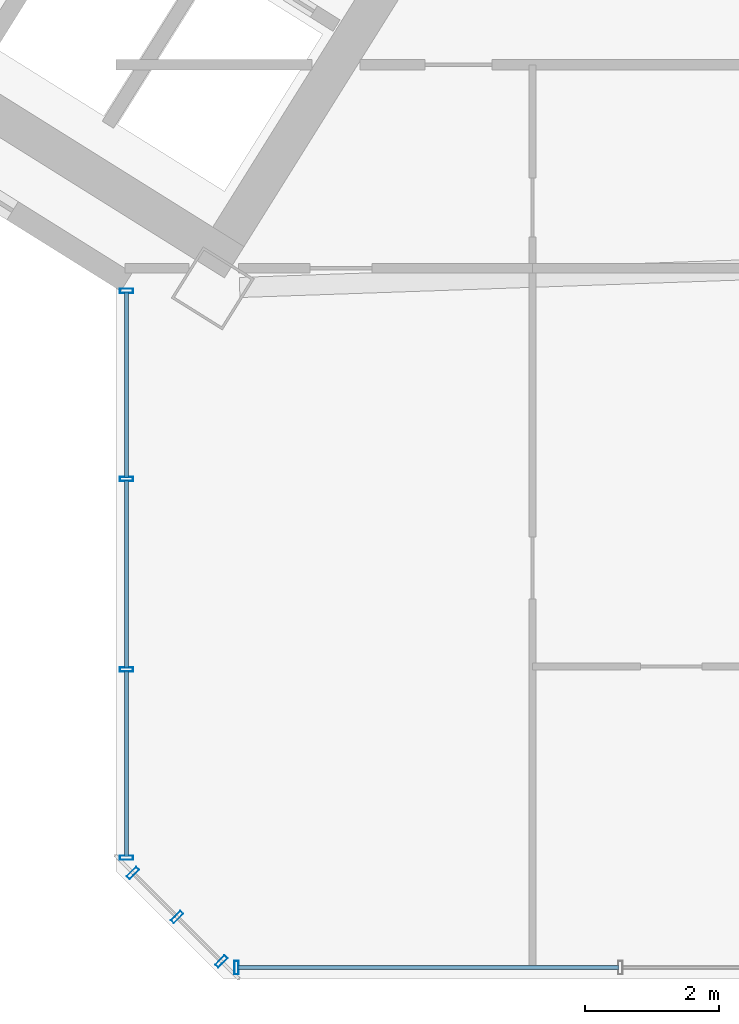
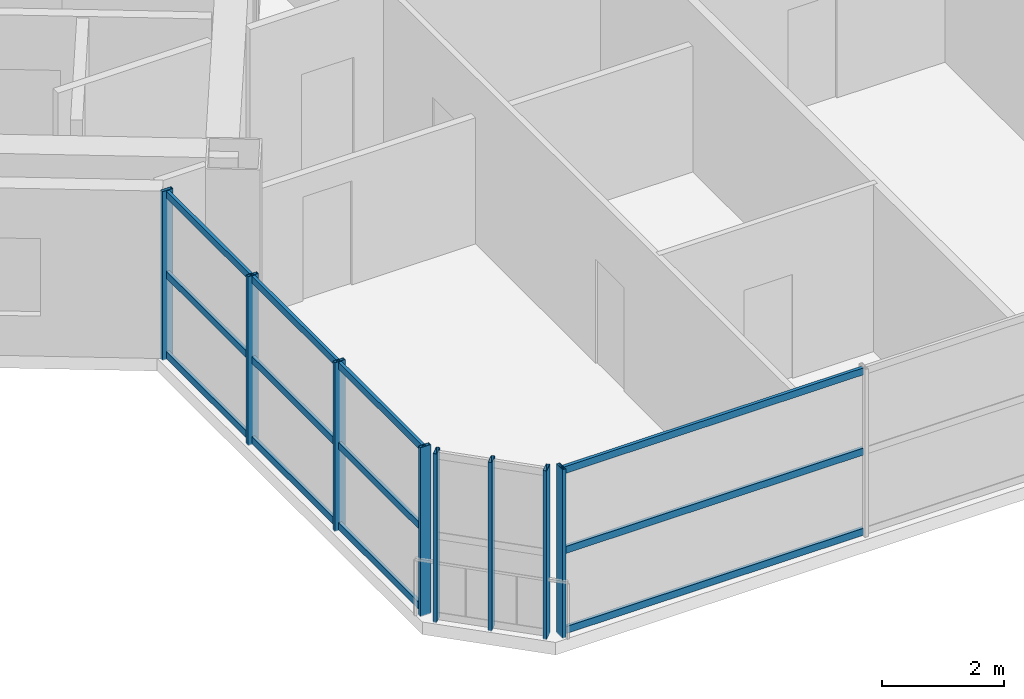
# One storey, part 4 of 20: 20 members, 3 elements without a shape of their own.
"""IFC4 building model written with IfcOpenShell, lengths in metres."""

from ifc_helpers import new_model, si_unit, direction, frame, origin, origin_2d, place, context, subcontext, project, spatial, hollow_rectangle, extrude, source, transform, mapped, material, material_profile, profile_set, type_object, element, aggregate, save


model = new_model("IFC4")

# Units and contexts
model_context = context("Model", 3, precision=1e-05, world=origin(), true_north=direction((0.0, 1.0)))
body_context = subcontext(model_context, "Body", "Model", "MODEL_VIEW")
ifc_project = project(units=[si_unit("LENGTHUNIT", "METRE"), si_unit("AREAUNIT", "SQUARE_METRE"), si_unit("VOLUMEUNIT", "CUBIC_METRE"), si_unit("PLANEANGLEUNIT", "RADIAN"), si_unit("MASSUNIT", "GRAM", prefix="KILO")], contexts=[model_context])

# Site, building, storey
site_placement = place(None, origin())
site = spatial("IfcSite", under=ifc_project, at=site_placement, CompositionType="ELEMENT")
building_placement = place(site_placement, origin())
building = spatial("IfcBuilding", under=site, at=building_placement, Name="Tlacorven Tower", CompositionType="ELEMENT")
storey_placement = place(building_placement, frame((0.0, 0.0, 108.89990234375)))
storey = spatial("IfcBuildingStorey", under=building, at=storey_placement, Name="L27", CompositionType="ELEMENT", Elevation=108.89990234375)

# Curtain wall, members
ifc_material_1 = material(Name="Dark solar low-E double glazing in aluminium frame", Category="aluminium")
curtain_wall_type = type_object("IfcCurtainWallType", Name="CW-TWR-MID", PredefinedType="USERDEFINED", material=ifc_material_1)
curtain_wall_1_placement = place(storey_placement, origin())
curtain_wall_1 = element("IfcCurtainWall", 1, at=curtain_wall_1_placement, inside=storey, type_object=curtain_wall_type, Name="L27 CW-TWR-MID Curtain Wall 136", ObjectType="UNITISED CURTAIN WALL", PredefinedType="USERDEFINED")
ifc_material_2 = material(Name="Aluminium 6063-T6 anodised", Category="aluminium")
ifc_material_profile_1 = material_profile(ifc_material_2, hollow_rectangle(XDim=0.06005859375, YDim=0.139892578125, WallThickness=0.00390625, at=origin_2d()), Name="ALU TRANSOM 60X140")
ifc_profile_set_1 = profile_set([ifc_material_profile_1], Name="Aluminium 6063-T6 anodised")
member_type_1 = type_object("IfcMemberType", Name="CWT-02", PredefinedType="USERDEFINED", material=ifc_profile_set_1)
shared_shape_1 = source(origin(), body_context, "Body", "SweptSolid", [
    extrude(hollow_rectangle(XDim=0.06005859375, YDim=0.139892578125, WallThickness=0.00390625, at=origin_2d()), origin(), (0.0, 0.0, 1.0), 5.682373046875),
])
member_1_placement = place(storey_placement, frame((39.1015625, 1.9599609375, 0.070068359375), z_axis=(-1.0, 0.0, 0.0), x_axis=(0.0, -1.0, 0.0)))
member_1 = element("IfcMember", 2, at=member_1_placement, type_object=member_type_1, Name="CW-L27-136 Transom 7", ObjectType="TRANSOM", PredefinedType="USERDEFINED", context=body_context, shape_type="MappedRepresentation", body=[
    mapped(shared_shape_1, transform((0.0, 0.0, 0.0), scale=1.0)),
])
member_2_placement = place(storey_placement, frame((39.1015625, 1.9599609375, 1.675048828125), z_axis=(-1.0, 0.0, 0.0), x_axis=(0.0, -1.0, 0.0)))
member_2 = element("IfcMember", 3, at=member_2_placement, type_object=member_type_1, Name="CW-L27-136 Transom 8", ObjectType="TRANSOM", PredefinedType="USERDEFINED", context=body_context, shape_type="MappedRepresentation", body=[
    mapped(shared_shape_1, transform((0.0, 0.0, 0.0), scale=1.0)),
])
member_3_placement = place(storey_placement, frame((39.1015625, 1.9599609375, 3.280029296875), z_axis=(-1.0, 0.0, 0.0), x_axis=(0.0, -1.0, 0.0)))
member_3 = element("IfcMember", 4, at=member_3_placement, type_object=member_type_1, Name="CW-L27-136 Transom 9", ObjectType="TRANSOM", PredefinedType="USERDEFINED", context=body_context, shape_type="MappedRepresentation", body=[
    mapped(shared_shape_1, transform((0.0, 0.0, 0.0), scale=1.0)),
])

curtain_wall_2_placement = place(storey_placement, origin())
curtain_wall_2 = element("IfcCurtainWall", 5, at=curtain_wall_2_placement, inside=storey, type_object=curtain_wall_type, Name="L27 CW-TWR-MID Curtain Wall 138", ObjectType="UNITISED CURTAIN WALL", PredefinedType="USERDEFINED")
shared_shape_2 = source(origin(), body_context, "Body", "SweptSolid", [
    extrude(hollow_rectangle(XDim=0.06005859375, YDim=0.139892578125, WallThickness=0.00390625, at=origin_2d()), origin(), (0.0, 0.0, 1.0), 2.765380859375),
])
member_4_placement = place(storey_placement, frame((31.760009765625, 3.619384765625, 0.070068359375), z_axis=(0.0, 1.0, 0.0), x_axis=(-1.0, 0.0, 0.0)))
member_4 = element("IfcMember", 6, at=member_4_placement, type_object=member_type_1, Name="CW-L27-138 Transom 1", ObjectType="TRANSOM", PredefinedType="USERDEFINED", context=body_context, shape_type="MappedRepresentation", body=[
    mapped(shared_shape_2, transform((0.0, 0.0, 0.0), scale=1.0)),
])
member_5_placement = place(storey_placement, frame((31.760009765625, 3.619384765625, 1.675048828125), z_axis=(0.0, 1.0, 0.0), x_axis=(-1.0, 0.0, 0.0)))
member_5 = element("IfcMember", 7, at=member_5_placement, type_object=member_type_1, Name="CW-L27-138 Transom 2", ObjectType="TRANSOM", PredefinedType="USERDEFINED", context=body_context, shape_type="MappedRepresentation", body=[
    mapped(shared_shape_2, transform((0.0, 0.0, 0.0), scale=1.0)),
])
member_6_placement = place(storey_placement, frame((31.760009765625, 3.619384765625, 3.280029296875), z_axis=(0.0, 1.0, 0.0), x_axis=(-1.0, 0.0, 0.0)))
member_6 = element("IfcMember", 8, at=member_6_placement, type_object=member_type_1, Name="CW-L27-138 Transom 3", ObjectType="TRANSOM", PredefinedType="USERDEFINED", context=body_context, shape_type="MappedRepresentation", body=[
    mapped(shared_shape_2, transform((0.0, 0.0, 0.0), scale=1.0)),
])
member_7_placement = place(storey_placement, frame((31.760009765625, 9.2646484375, 0.070068359375), z_axis=(0.0, 1.0, 0.0), x_axis=(-1.0, 0.0, 0.0)))
member_7 = element("IfcMember", 9, at=member_7_placement, type_object=member_type_1, Name="CW-L27-138 Transom 7", ObjectType="TRANSOM", PredefinedType="USERDEFINED", context=body_context, shape_type="MappedRepresentation", body=[
    mapped(shared_shape_2, transform((0.0, 0.0, 0.0), scale=1.0)),
])
member_8_placement = place(storey_placement, frame((31.760009765625, 9.2646484375, 1.675048828125), z_axis=(0.0, 1.0, 0.0), x_axis=(-1.0, 0.0, 0.0)))
member_8 = element("IfcMember", 10, at=member_8_placement, type_object=member_type_1, Name="CW-L27-138 Transom 8", ObjectType="TRANSOM", PredefinedType="USERDEFINED", context=body_context, shape_type="MappedRepresentation", body=[
    mapped(shared_shape_2, transform((0.0, 0.0, 0.0), scale=1.0)),
])
member_9_placement = place(storey_placement, frame((31.760009765625, 9.2646484375, 3.280029296875), z_axis=(0.0, 1.0, 0.0), x_axis=(-1.0, 0.0, 0.0)))
member_9 = element("IfcMember", 11, at=member_9_placement, type_object=member_type_1, Name="CW-L27-138 Transom 9", ObjectType="TRANSOM", PredefinedType="USERDEFINED", context=body_context, shape_type="MappedRepresentation", body=[
    mapped(shared_shape_2, transform((0.0, 0.0, 0.0), scale=1.0)),
])
shared_shape_3 = source(origin(), body_context, "Body", "SweptSolid", [
    extrude(hollow_rectangle(XDim=0.06005859375, YDim=0.139892578125, WallThickness=0.00390625, at=origin_2d()), origin(), (0.0, 0.0, 1.0), 2.7978515625),
])
member_10_placement = place(storey_placement, frame((31.760009765625, 6.42578125, 0.070068359375), z_axis=(0.0, 1.0, 0.0), x_axis=(-1.0, 0.0, 0.0)))
member_10 = element("IfcMember", 12, at=member_10_placement, type_object=member_type_1, Name="CW-L27-138 Transom 4", ObjectType="TRANSOM", PredefinedType="USERDEFINED", context=body_context, shape_type="MappedRepresentation", body=[
    mapped(shared_shape_3, transform((0.0, 0.0, 0.0), scale=1.0)),
])
member_11_placement = place(storey_placement, frame((31.760009765625, 6.42578125, 1.675048828125), z_axis=(0.0, 1.0, 0.0), x_axis=(-1.0, 0.0, 0.0)))
member_11 = element("IfcMember", 13, at=member_11_placement, type_object=member_type_1, Name="CW-L27-138 Transom 5", ObjectType="TRANSOM", PredefinedType="USERDEFINED", context=body_context, shape_type="MappedRepresentation", body=[
    mapped(shared_shape_3, transform((0.0, 0.0, 0.0), scale=1.0)),
])
member_12_placement = place(storey_placement, frame((31.760009765625, 6.42578125, 3.280029296875), z_axis=(0.0, 1.0, 0.0), x_axis=(-1.0, 0.0, 0.0)))
member_12 = element("IfcMember", 14, at=member_12_placement, type_object=member_type_1, Name="CW-L27-138 Transom 6", ObjectType="TRANSOM", PredefinedType="USERDEFINED", context=body_context, shape_type="MappedRepresentation", body=[
    mapped(shared_shape_3, transform((0.0, 0.0, 0.0), scale=1.0)),
])

# Member
ifc_material_profile_2 = material_profile(ifc_material_2, hollow_rectangle(XDim=0.06494140625, YDim=0.199951171875, WallThickness=0.00439453125, at=origin_2d()), Name="ALU MULLION 65X200")
ifc_profile_set_2 = profile_set([ifc_material_profile_2], Name="Aluminium 6063-T6 anodised")
member_type_2 = type_object("IfcMemberType", Name="CWM-02", PredefinedType="MULLION", material=ifc_profile_set_2)
shared_shape_4 = source(origin(), body_context, "Body", "SweptSolid", [
    extrude(hollow_rectangle(XDim=0.06494140625, YDim=0.199951171875, WallThickness=0.00439453125, at=origin_2d()), origin(), (0.0, 0.0, 1.0), 3.380126953125),
])
member_13_placement = place(storey_placement, frame((33.398681640625, 1.9599609375, -0.02001953125), z_axis=(0.0, 0.0, 1.0), x_axis=(-1.0, 0.0, 0.0)))
member_13 = element("IfcMember", 15, at=member_13_placement, type_object=member_type_2, Name="CW-L27-136 Mullion 4", PredefinedType="MULLION", context=body_context, shape_type="MappedRepresentation", body=[
    mapped(shared_shape_4, transform((0.0, 0.0, 0.0), scale=1.0)),
])

aggregate(curtain_wall_1, [member_13, member_1, member_2, member_3])

# Curtain wall, members
curtain_wall_3_placement = place(storey_placement, origin())
curtain_wall_3 = element("IfcCurtainWall", 16, at=curtain_wall_3_placement, inside=storey, type_object=curtain_wall_type, Name="L27 CW-TWR-MID Curtain Wall 137", ObjectType="UNITISED CURTAIN WALL", PredefinedType="USERDEFINED")
member_14_placement = place(storey_placement, frame((33.172607421875, 2.0537109375, -0.02001953125), z_axis=(0.0, 0.0, 1.0), x_axis=(-0.707106781187, 0.707106781187, 0.0)))
member_14 = element("IfcMember", 17, at=member_14_placement, type_object=member_type_2, Name="CW-L27-137 Mullion 1", PredefinedType="MULLION", context=body_context, shape_type="MappedRepresentation", body=[
    mapped(shared_shape_4, transform((0.0, 0.0, 0.0), scale=1.0)),
])
member_15_placement = place(storey_placement, frame((32.51318359375, 2.713134765625, -0.02001953125), z_axis=(0.0, 0.0, 1.0), x_axis=(-0.707106781187, 0.707106781187, 0.0)))
member_15 = element("IfcMember", 18, at=member_15_placement, type_object=member_type_2, Name="CW-L27-137 Mullion 2", PredefinedType="MULLION", context=body_context, shape_type="MappedRepresentation", body=[
    mapped(shared_shape_4, transform((0.0, 0.0, 0.0), scale=1.0)),
])
member_16_placement = place(storey_placement, frame((31.853759765625, 3.37255859375, -0.02001953125), z_axis=(0.0, 0.0, 1.0), x_axis=(-0.707106781187, 0.707106781187, 0.0)))
member_16 = element("IfcMember", 19, at=member_16_placement, type_object=member_type_2, Name="CW-L27-137 Mullion 3", PredefinedType="MULLION", context=body_context, shape_type="MappedRepresentation", body=[
    mapped(shared_shape_4, transform((0.0, 0.0, 0.0), scale=1.0)),
])
aggregate(curtain_wall_3, [member_14, member_15, member_16])

# Member
member_17_placement = place(storey_placement, frame((31.760009765625, 3.598876953125, -0.02001953125), z_axis=(0.0, 0.0, 1.0), x_axis=(0.0, 1.0, 0.0)))
member_17 = element("IfcMember", 20, at=member_17_placement, type_object=member_type_2, Name="CW-L27-138 Mullion 1", PredefinedType="MULLION", context=body_context, shape_type="MappedRepresentation", body=[
    mapped(shared_shape_4, transform((0.0, 0.0, 0.0), scale=1.0)),
])

member_18_placement = place(storey_placement, frame((31.760009765625, 6.4052734375, -0.02001953125), z_axis=(0.0, 0.0, 1.0), x_axis=(0.0, 1.0, 0.0)))
member_18 = element("IfcMember", 21, at=member_18_placement, type_object=member_type_2, Name="CW-L27-138 Mullion 2", PredefinedType="MULLION", context=body_context, shape_type="MappedRepresentation", body=[
    mapped(shared_shape_4, transform((0.0, 0.0, 0.0), scale=1.0)),
])

member_19_placement = place(storey_placement, frame((31.760009765625, 9.244140625, -0.02001953125), z_axis=(0.0, 0.0, 1.0), x_axis=(0.0, 1.0, 0.0)))
member_19 = element("IfcMember", 22, at=member_19_placement, type_object=member_type_2, Name="CW-L27-138 Mullion 3", PredefinedType="MULLION", context=body_context, shape_type="MappedRepresentation", body=[
    mapped(shared_shape_4, transform((0.0, 0.0, 0.0), scale=1.0)),
])

member_20_placement = place(storey_placement, frame((31.760009765625, 12.050537109375, -0.02001953125), z_axis=(0.0, 0.0, 1.0), x_axis=(0.0, 1.0, 0.0)))
member_20 = element("IfcMember", 23, at=member_20_placement, type_object=member_type_2, Name="CW-L27-138 Mullion 4", PredefinedType="MULLION", context=body_context, shape_type="MappedRepresentation", body=[
    mapped(shared_shape_4, transform((0.0, 0.0, 0.0), scale=1.0)),
])

aggregate(curtain_wall_2, [member_17, member_18, member_19, member_20, member_4, member_5, member_6, member_10, member_11, member_12, member_7, member_8, member_9])

save(model, "model.ifc")
